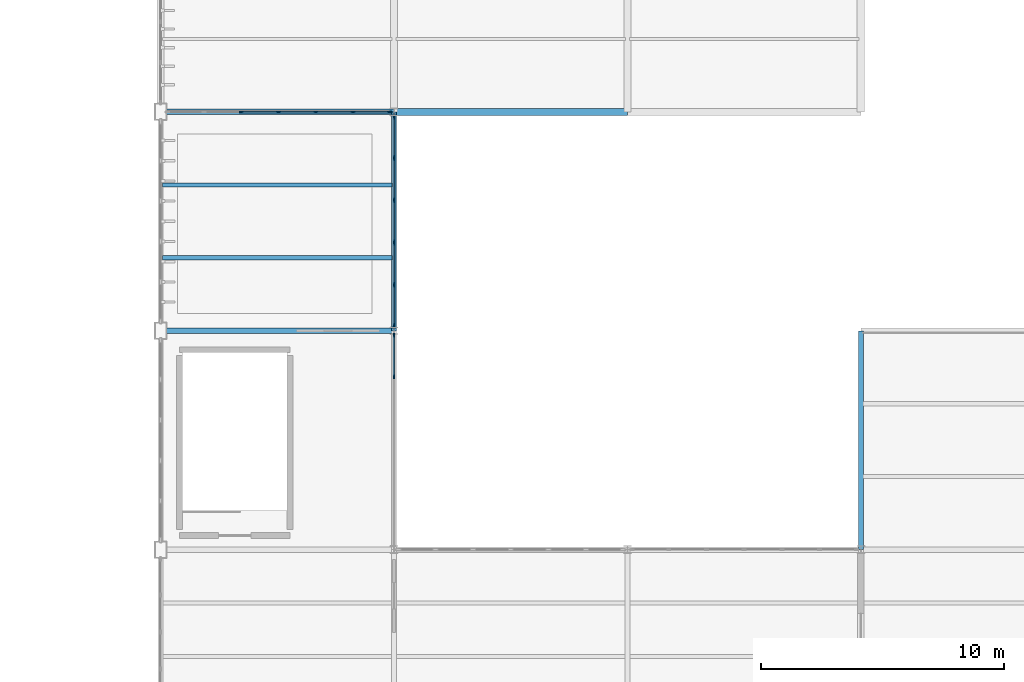
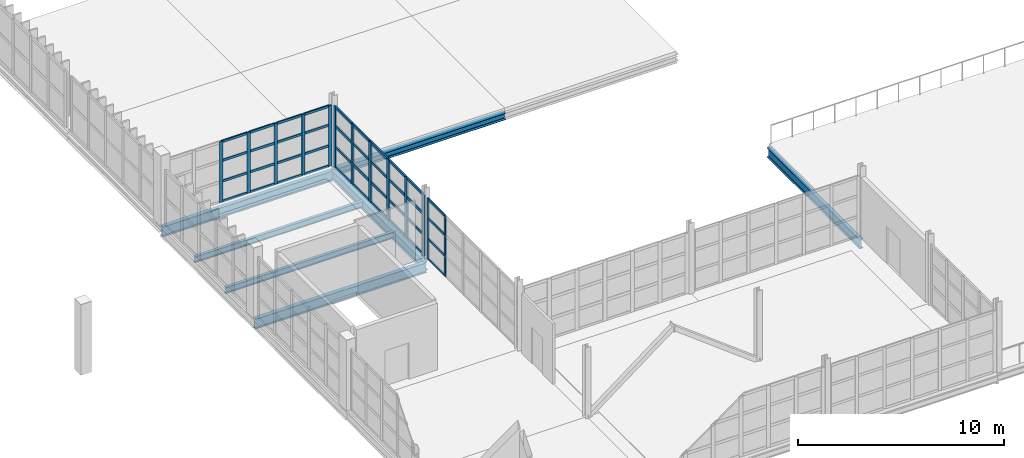
# One storey, part 46 of 82: 53 members, 7 beams, 3 elements without a shape of their own.
"""IFC4 building model written with IfcOpenShell, lengths in metres."""

from ifc_helpers import new_model, si_unit, direction, frame, origin, origin_2d, place, context, subcontext, project, spatial, rectangle, i_section, extrude, material, layer, layer_set, material_profile, profile_set, type_object, element, aggregate, save


model = new_model("IFC4")

# Units and contexts
model_context = context("Model", 3, precision=1e-05, world=origin(), true_north=direction((0.0, 1.0)))
body_context = subcontext(model_context, "Body", "Model", "MODEL_VIEW")
ifc_project = project(units=[si_unit("LENGTHUNIT", "METRE"), si_unit("AREAUNIT", "SQUARE_METRE"), si_unit("VOLUMEUNIT", "CUBIC_METRE"), si_unit("PLANEANGLEUNIT", "RADIAN"), si_unit("MASSUNIT", "GRAM", prefix="KILO")], contexts=[model_context])

# Site, building, storey
site_placement = place(None, origin())
site = spatial("IfcSite", under=ifc_project, at=site_placement, CompositionType="ELEMENT")
building_placement = place(site_placement, origin())
building = spatial("IfcBuilding", under=site, at=building_placement, Name="Zarnetskaya Central Station", CompositionType="ELEMENT")
storey_placement = place(building_placement, frame((0.0, 0.0, 10.199951171875)))
storey = spatial("IfcBuildingStorey", under=building, at=storey_placement, Name="L02", CompositionType="ELEMENT", Elevation=10.199951171875)

# Beams
ifc_material_1 = material(Name="Steel S355", Category="steel")
ifc_material_profile_1 = material_profile(ifc_material_1, i_section(OverallWidth=0.169921875, OverallDepth=0.360107421875, WebThickness=0.008056640625, FlangeThickness=0.0126953125, FilletRadius=0.01806640625, at=origin_2d()), Name="IPE 360")
ifc_profile_set_1 = profile_set([ifc_material_profile_1], Name="Steel S355")
beam_type_1 = type_object("IfcBeamType", Name="BM-SEC-360", PredefinedType="BEAM", material=ifc_profile_set_1)
for number, where, z_axis, x_axis, name in (
    (1, (124.8798828125, 25.199951171875, -0.43994140625), (1.0, 0.0, 0.0), (0.0, 1.0, 0.0), "Secondary floor beam SEC-L02-Z994-PQ-45-1"),
    (2, (124.8798828125, 28.199951171875, -0.43994140625), (1.0, 0.0, 0.0), (0.0, 1.0, 0.0), "Secondary floor beam SEC-L02-Z994-PQ-45-2"),
):
    element("IfcBeam", number, at=place(storey_placement, frame(where, z_axis=z_axis, x_axis=x_axis)), inside=storey, type_object=beam_type_1, Name=name, PredefinedType="BEAM", context=body_context, shape_type="SweptSolid", body=[
        extrude(i_section(OverallWidth=0.169921875, OverallDepth=0.360107421875, WebThickness=0.008056640625, FlangeThickness=0.0126953125, FilletRadius=0.01806640625, at=origin_2d()), origin(), (0.0, 0.0, 1.0), 9.440185546875),
    ])

# Curtain wall, members
ifc_material_2 = material(Name="Low-E insulated glass", Category="glass")
ifc_layer = layer(ifc_material_2, 0.1640625, Name="Low-E insulated glass", Category="glass")
ifc_layer_set = layer_set([ifc_layer], Name="Low-E insulated glass")
curtain_wall_type = type_object("IfcCurtainWallType", Name="CW-SYS-07", PredefinedType="USERDEFINED", material=ifc_layer_set)
curtain_wall_1_placement = place(storey_placement, origin())
curtain_wall_1 = element("IfcCurtainWall", 3, at=curtain_wall_1_placement, inside=storey, type_object=curtain_wall_type, Name="Curtain wall CW-L02-137", ObjectType="CURTAIN WALL", PredefinedType="USERDEFINED")
ifc_material_3 = material(Name="Anodised aluminium", Category="aluminium")
ifc_material_profile_2 = material_profile(ifc_material_3, rectangle(XDim=0.070068359375, YDim=0.179931640625, at=origin_2d()), Name="ALU MULL 70x180")
ifc_profile_set_2 = profile_set([ifc_material_profile_2], Name="Anodised aluminium")
member_type_1 = type_object("IfcMemberType", Name="CW-MULL-180", PredefinedType="MULLION", material=ifc_profile_set_2)
member_1_placement = place(storey_placement, frame((128.11669921875, 31.199951171875, 0.0), z_axis=(0.0, 0.0, 1.0), x_axis=(0.0, 1.0, 0.0)))
member_1 = element("IfcMember", 4, at=member_1_placement, type_object=member_type_1, Name="CW-06 mullion 3", PredefinedType="MULLION", context=body_context, shape_type="SweptSolid", body=[
    extrude(rectangle(XDim=0.070068359375, YDim=0.179931640625, at=origin_2d()), origin(), (0.0, 0.0, 1.0), 3.60009765625),
])
member_2_placement = place(storey_placement, frame((129.64990234375, 31.199951171875, 0.0), z_axis=(0.0, 0.0, 1.0), x_axis=(0.0, 1.0, 0.0)))
member_2 = element("IfcMember", 5, at=member_2_placement, type_object=member_type_1, Name="CW-06 mullion 4", PredefinedType="MULLION", context=body_context, shape_type="SweptSolid", body=[
    extrude(rectangle(XDim=0.070068359375, YDim=0.179931640625, at=origin_2d()), origin(), (0.0, 0.0, 1.0), 3.60009765625),
])
member_3_placement = place(storey_placement, frame((131.183349609375, 31.199951171875, 0.0), z_axis=(0.0, 0.0, 1.0), x_axis=(0.0, 1.0, 0.0)))
member_3 = element("IfcMember", 6, at=member_3_placement, type_object=member_type_1, Name="CW-06 mullion 5", PredefinedType="MULLION", context=body_context, shape_type="SweptSolid", body=[
    extrude(rectangle(XDim=0.070068359375, YDim=0.179931640625, at=origin_2d()), origin(), (0.0, 0.0, 1.0), 3.60009765625),
])
member_4_placement = place(storey_placement, frame((132.716552734375, 31.199951171875, 0.0), z_axis=(0.0, 0.0, 1.0), x_axis=(0.0, 1.0, 0.0)))
member_4 = element("IfcMember", 7, at=member_4_placement, type_object=member_type_1, Name="CW-06 mullion 6", PredefinedType="MULLION", context=body_context, shape_type="SweptSolid", body=[
    extrude(rectangle(XDim=0.070068359375, YDim=0.179931640625, at=origin_2d()), origin(), (0.0, 0.0, 1.0), 3.60009765625),
])
member_5_placement = place(storey_placement, frame((134.215087890625, 31.199951171875, 0.0), z_axis=(0.0, 0.0, 1.0), x_axis=(0.0, 1.0, 0.0)))
member_5 = element("IfcMember", 8, at=member_5_placement, type_object=member_type_1, Name="CW-06 mullion 7", PredefinedType="MULLION", context=body_context, shape_type="SweptSolid", body=[
    extrude(rectangle(XDim=0.070068359375, YDim=0.179931640625, at=origin_2d()), origin(), (0.0, 0.0, 1.0), 3.60009765625),
])

curtain_wall_2_placement = place(storey_placement, origin())
curtain_wall_2 = element("IfcCurtainWall", 9, at=curtain_wall_2_placement, inside=storey, type_object=curtain_wall_type, Name="Curtain wall CW-L02-139", ObjectType="CURTAIN WALL", PredefinedType="USERDEFINED")
member_6_placement = place(storey_placement, frame((134.39990234375, 22.014892578125, 0.0), z_axis=(0.0, 0.0, 1.0), x_axis=(1.0, 0.0, 0.0)))
member_6 = element("IfcMember", 10, at=member_6_placement, type_object=member_type_1, Name="CW-06 mullion 1", PredefinedType="MULLION", context=body_context, shape_type="SweptSolid", body=[
    extrude(rectangle(XDim=0.070068359375, YDim=0.179931640625, at=origin_2d()), origin(), (0.0, 0.0, 1.0), 3.60009765625),
])
member_7_placement = place(storey_placement, frame((134.39990234375, 20.31005859375, 0.0), z_axis=(0.0, 0.0, 1.0), x_axis=(1.0, 0.0, 0.0)))
member_7 = element("IfcMember", 11, at=member_7_placement, type_object=member_type_1, Name="CW-06 mullion 2", PredefinedType="MULLION", context=body_context, shape_type="SweptSolid", body=[
    extrude(rectangle(XDim=0.070068359375, YDim=0.179931640625, at=origin_2d()), origin(), (0.0, 0.0, 1.0), 3.60009765625),
])

curtain_wall_3_placement = place(storey_placement, origin())
curtain_wall_3 = element("IfcCurtainWall", 12, at=curtain_wall_3_placement, inside=storey, type_object=curtain_wall_type, Name="Curtain wall CW-L02-138", ObjectType="CURTAIN WALL", PredefinedType="USERDEFINED")
ifc_material_profile_3 = material_profile(ifc_material_3, rectangle(XDim=0.080078125, YDim=0.219970703125, at=origin_2d()), Name="ALU MULL 80x220")
ifc_profile_set_3 = profile_set([ifc_material_profile_3], Name="Anodised aluminium")
member_type_2 = type_object("IfcMemberType", Name="CW-MULL-220", PredefinedType="MULLION", material=ifc_profile_set_3)
member_8_placement = place(storey_placement, frame((134.39990234375, 31.010009765625, 0.0), z_axis=(0.0, 0.0, 1.0), x_axis=(1.0, 0.0, 0.0)))
member_8 = element("IfcMember", 13, at=member_8_placement, type_object=member_type_2, Name="CW-06 mullion 1", PredefinedType="MULLION", context=body_context, shape_type="SweptSolid", body=[
    extrude(rectangle(XDim=0.080078125, YDim=0.219970703125, at=origin_2d()), origin(), (0.0, 0.0, 1.0), 3.60009765625),
])
member_9_placement = place(storey_placement, frame((134.39990234375, 29.31005859375, 0.0), z_axis=(0.0, 0.0, 1.0), x_axis=(1.0, 0.0, 0.0)))
member_9 = element("IfcMember", 14, at=member_9_placement, type_object=member_type_2, Name="CW-06 mullion 2", PredefinedType="MULLION", context=body_context, shape_type="SweptSolid", body=[
    extrude(rectangle(XDim=0.080078125, YDim=0.219970703125, at=origin_2d()), origin(), (0.0, 0.0, 1.0), 3.60009765625),
])
member_10_placement = place(storey_placement, frame((134.39990234375, 27.570068359375, 0.0), z_axis=(0.0, 0.0, 1.0), x_axis=(1.0, 0.0, 0.0)))
member_10 = element("IfcMember", 15, at=member_10_placement, type_object=member_type_2, Name="CW-06 mullion 3", PredefinedType="MULLION", context=body_context, shape_type="SweptSolid", body=[
    extrude(rectangle(XDim=0.080078125, YDim=0.219970703125, at=origin_2d()), origin(), (0.0, 0.0, 1.0), 3.60009765625),
])
member_11_placement = place(storey_placement, frame((134.39990234375, 25.830078125, 0.0), z_axis=(0.0, 0.0, 1.0), x_axis=(1.0, 0.0, 0.0)))
member_11 = element("IfcMember", 16, at=member_11_placement, type_object=member_type_2, Name="CW-06 mullion 4", PredefinedType="MULLION", context=body_context, shape_type="SweptSolid", body=[
    extrude(rectangle(XDim=0.080078125, YDim=0.219970703125, at=origin_2d()), origin(), (0.0, 0.0, 1.0), 3.60009765625),
])
member_12_placement = place(storey_placement, frame((134.39990234375, 24.090087890625, 0.0), z_axis=(0.0, 0.0, 1.0), x_axis=(1.0, 0.0, 0.0)))
member_12 = element("IfcMember", 17, at=member_12_placement, type_object=member_type_2, Name="CW-06 mullion 5", PredefinedType="MULLION", context=body_context, shape_type="SweptSolid", body=[
    extrude(rectangle(XDim=0.080078125, YDim=0.219970703125, at=origin_2d()), origin(), (0.0, 0.0, 1.0), 3.60009765625),
])
member_13_placement = place(storey_placement, frame((134.39990234375, 22.389892578125, 0.0), z_axis=(0.0, 0.0, 1.0), x_axis=(1.0, 0.0, 0.0)))
member_13 = element("IfcMember", 18, at=member_13_placement, type_object=member_type_2, Name="CW-06 mullion 6", PredefinedType="MULLION", context=body_context, shape_type="SweptSolid", body=[
    extrude(rectangle(XDim=0.080078125, YDim=0.219970703125, at=origin_2d()), origin(), (0.0, 0.0, 1.0), 3.60009765625),
])

# Member
ifc_material_profile_4 = material_profile(ifc_material_3, rectangle(XDim=0.070068359375, YDim=0.139892578125, at=origin_2d()), Name="ALU TRAN 70x140")
ifc_profile_set_4 = profile_set([ifc_material_profile_4], Name="Anodised aluminium")
member_type_3 = type_object("IfcMemberType", Name="CW-TRAN-140", PredefinedType="USERDEFINED", material=ifc_profile_set_4)
member_14_placement = place(storey_placement, frame((128.151611328125, 31.199951171875, 0.03515625), z_axis=(1.0, 0.0, 0.0), x_axis=(0.0, 1.0, 0.0)))
member_14 = element("IfcMember", 19, at=member_14_placement, type_object=member_type_3, Name="CW-06 transom 3.1", ObjectType="TRANSOM", PredefinedType="USERDEFINED", context=body_context, shape_type="SweptSolid", body=[
    extrude(rectangle(XDim=0.070068359375, YDim=0.139892578125, at=origin_2d()), origin(), (0.0, 0.0, 1.0), 1.46337890625),
])

member_15_placement = place(storey_placement, frame((128.151611328125, 31.199951171875, 1.22412109375), z_axis=(1.0, 0.0, 0.0), x_axis=(0.0, 1.0, 0.0)))
member_15 = element("IfcMember", 20, at=member_15_placement, type_object=member_type_3, Name="CW-06 transom 3.2", ObjectType="TRANSOM", PredefinedType="USERDEFINED", context=body_context, shape_type="SweptSolid", body=[
    extrude(rectangle(XDim=0.070068359375, YDim=0.139892578125, at=origin_2d()), origin(), (0.0, 0.0, 1.0), 1.46337890625),
])

member_16_placement = place(storey_placement, frame((128.151611328125, 31.199951171875, 2.447998046875), z_axis=(1.0, 0.0, 0.0), x_axis=(0.0, 1.0, 0.0)))
member_16 = element("IfcMember", 21, at=member_16_placement, type_object=member_type_3, Name="CW-06 transom 3.3", ObjectType="TRANSOM", PredefinedType="USERDEFINED", context=body_context, shape_type="SweptSolid", body=[
    extrude(rectangle(XDim=0.070068359375, YDim=0.139892578125, at=origin_2d()), origin(), (0.0, 0.0, 1.0), 1.46337890625),
])

member_17_placement = place(storey_placement, frame((128.151611328125, 31.199951171875, 3.56494140625), z_axis=(1.0, 0.0, 0.0), x_axis=(0.0, 1.0, 0.0)))
member_17 = element("IfcMember", 22, at=member_17_placement, type_object=member_type_3, Name="CW-06 transom 3.4", ObjectType="TRANSOM", PredefinedType="USERDEFINED", context=body_context, shape_type="SweptSolid", body=[
    extrude(rectangle(XDim=0.070068359375, YDim=0.139892578125, at=origin_2d()), origin(), (0.0, 0.0, 1.0), 1.46337890625),
])

member_18_placement = place(storey_placement, frame((129.68505859375, 31.199951171875, 0.03515625), z_axis=(1.0, 0.0, 0.0), x_axis=(0.0, 1.0, 0.0)))
member_18 = element("IfcMember", 23, at=member_18_placement, type_object=member_type_3, Name="CW-06 transom 4.1", ObjectType="TRANSOM", PredefinedType="USERDEFINED", context=body_context, shape_type="SweptSolid", body=[
    extrude(rectangle(XDim=0.070068359375, YDim=0.139892578125, at=origin_2d()), origin(), (0.0, 0.0, 1.0), 1.46337890625),
])

member_19_placement = place(storey_placement, frame((129.68505859375, 31.199951171875, 1.22412109375), z_axis=(1.0, 0.0, 0.0), x_axis=(0.0, 1.0, 0.0)))
member_19 = element("IfcMember", 24, at=member_19_placement, type_object=member_type_3, Name="CW-06 transom 4.2", ObjectType="TRANSOM", PredefinedType="USERDEFINED", context=body_context, shape_type="SweptSolid", body=[
    extrude(rectangle(XDim=0.070068359375, YDim=0.139892578125, at=origin_2d()), origin(), (0.0, 0.0, 1.0), 1.46337890625),
])

member_20_placement = place(storey_placement, frame((129.68505859375, 31.199951171875, 2.447998046875), z_axis=(1.0, 0.0, 0.0), x_axis=(0.0, 1.0, 0.0)))
member_20 = element("IfcMember", 25, at=member_20_placement, type_object=member_type_3, Name="CW-06 transom 4.3", ObjectType="TRANSOM", PredefinedType="USERDEFINED", context=body_context, shape_type="SweptSolid", body=[
    extrude(rectangle(XDim=0.070068359375, YDim=0.139892578125, at=origin_2d()), origin(), (0.0, 0.0, 1.0), 1.46337890625),
])

member_21_placement = place(storey_placement, frame((129.68505859375, 31.199951171875, 3.56494140625), z_axis=(1.0, 0.0, 0.0), x_axis=(0.0, 1.0, 0.0)))
member_21 = element("IfcMember", 26, at=member_21_placement, type_object=member_type_3, Name="CW-06 transom 4.4", ObjectType="TRANSOM", PredefinedType="USERDEFINED", context=body_context, shape_type="SweptSolid", body=[
    extrude(rectangle(XDim=0.070068359375, YDim=0.139892578125, at=origin_2d()), origin(), (0.0, 0.0, 1.0), 1.46337890625),
])

member_22_placement = place(storey_placement, frame((131.21826171875, 31.199951171875, 0.03515625), z_axis=(1.0, 0.0, 0.0), x_axis=(0.0, 1.0, 0.0)))
member_22 = element("IfcMember", 27, at=member_22_placement, type_object=member_type_3, Name="CW-06 transom 5.1", ObjectType="TRANSOM", PredefinedType="USERDEFINED", context=body_context, shape_type="SweptSolid", body=[
    extrude(rectangle(XDim=0.070068359375, YDim=0.139892578125, at=origin_2d()), origin(), (0.0, 0.0, 1.0), 1.46337890625),
])

member_23_placement = place(storey_placement, frame((131.21826171875, 31.199951171875, 1.22412109375), z_axis=(1.0, 0.0, 0.0), x_axis=(0.0, 1.0, 0.0)))
member_23 = element("IfcMember", 28, at=member_23_placement, type_object=member_type_3, Name="CW-06 transom 5.2", ObjectType="TRANSOM", PredefinedType="USERDEFINED", context=body_context, shape_type="SweptSolid", body=[
    extrude(rectangle(XDim=0.070068359375, YDim=0.139892578125, at=origin_2d()), origin(), (0.0, 0.0, 1.0), 1.46337890625),
])

member_24_placement = place(storey_placement, frame((131.21826171875, 31.199951171875, 2.447998046875), z_axis=(1.0, 0.0, 0.0), x_axis=(0.0, 1.0, 0.0)))
member_24 = element("IfcMember", 29, at=member_24_placement, type_object=member_type_3, Name="CW-06 transom 5.3", ObjectType="TRANSOM", PredefinedType="USERDEFINED", context=body_context, shape_type="SweptSolid", body=[
    extrude(rectangle(XDim=0.070068359375, YDim=0.139892578125, at=origin_2d()), origin(), (0.0, 0.0, 1.0), 1.46337890625),
])

member_25_placement = place(storey_placement, frame((131.21826171875, 31.199951171875, 3.56494140625), z_axis=(1.0, 0.0, 0.0), x_axis=(0.0, 1.0, 0.0)))
member_25 = element("IfcMember", 30, at=member_25_placement, type_object=member_type_3, Name="CW-06 transom 5.4", ObjectType="TRANSOM", PredefinedType="USERDEFINED", context=body_context, shape_type="SweptSolid", body=[
    extrude(rectangle(XDim=0.070068359375, YDim=0.139892578125, at=origin_2d()), origin(), (0.0, 0.0, 1.0), 1.46337890625),
])

member_26_placement = place(storey_placement, frame((132.751708984375, 31.199951171875, 0.03515625), z_axis=(1.0, 0.0, 0.0), x_axis=(0.0, 1.0, 0.0)))
member_26 = element("IfcMember", 31, at=member_26_placement, type_object=member_type_3, Name="CW-06 transom 6.1", ObjectType="TRANSOM", PredefinedType="USERDEFINED", context=body_context, shape_type="SweptSolid", body=[
    extrude(rectangle(XDim=0.070068359375, YDim=0.139892578125, at=origin_2d()), origin(), (0.0, 0.0, 1.0), 1.42822265625),
])

member_27_placement = place(storey_placement, frame((132.751708984375, 31.199951171875, 1.22412109375), z_axis=(1.0, 0.0, 0.0), x_axis=(0.0, 1.0, 0.0)))
member_27 = element("IfcMember", 32, at=member_27_placement, type_object=member_type_3, Name="CW-06 transom 6.2", ObjectType="TRANSOM", PredefinedType="USERDEFINED", context=body_context, shape_type="SweptSolid", body=[
    extrude(rectangle(XDim=0.070068359375, YDim=0.139892578125, at=origin_2d()), origin(), (0.0, 0.0, 1.0), 1.42822265625),
])

member_28_placement = place(storey_placement, frame((132.751708984375, 31.199951171875, 2.447998046875), z_axis=(1.0, 0.0, 0.0), x_axis=(0.0, 1.0, 0.0)))
member_28 = element("IfcMember", 33, at=member_28_placement, type_object=member_type_3, Name="CW-06 transom 6.3", ObjectType="TRANSOM", PredefinedType="USERDEFINED", context=body_context, shape_type="SweptSolid", body=[
    extrude(rectangle(XDim=0.070068359375, YDim=0.139892578125, at=origin_2d()), origin(), (0.0, 0.0, 1.0), 1.42822265625),
])

member_29_placement = place(storey_placement, frame((132.751708984375, 31.199951171875, 3.56494140625), z_axis=(1.0, 0.0, 0.0), x_axis=(0.0, 1.0, 0.0)))
member_29 = element("IfcMember", 34, at=member_29_placement, type_object=member_type_3, Name="CW-06 transom 6.4", ObjectType="TRANSOM", PredefinedType="USERDEFINED", context=body_context, shape_type="SweptSolid", body=[
    extrude(rectangle(XDim=0.070068359375, YDim=0.139892578125, at=origin_2d()), origin(), (0.0, 0.0, 1.0), 1.42822265625),
])

aggregate(curtain_wall_1, [member_1, member_2, member_3, member_4, member_5, member_14, member_15, member_16, member_17, member_18, member_19, member_20, member_21, member_22, member_23, member_24, member_25, member_26, member_27, member_28, member_29])

member_30_placement = place(storey_placement, frame((134.39990234375, 21.97998046875, 0.03515625), z_axis=(0.0, -1.0, 0.0), x_axis=(1.0, 0.0, 0.0)))
member_30 = element("IfcMember", 35, at=member_30_placement, type_object=member_type_3, Name="CW-06 transom 1.1", ObjectType="TRANSOM", PredefinedType="USERDEFINED", context=body_context, shape_type="SweptSolid", body=[
    extrude(rectangle(XDim=0.070068359375, YDim=0.139892578125, at=origin_2d()), origin(), (0.0, 0.0, 1.0), 1.635009765625),
])

member_31_placement = place(storey_placement, frame((134.39990234375, 21.97998046875, 1.22412109375), z_axis=(0.0, -1.0, 0.0), x_axis=(1.0, 0.0, 0.0)))
member_31 = element("IfcMember", 36, at=member_31_placement, type_object=member_type_3, Name="CW-06 transom 1.2", ObjectType="TRANSOM", PredefinedType="USERDEFINED", context=body_context, shape_type="SweptSolid", body=[
    extrude(rectangle(XDim=0.070068359375, YDim=0.139892578125, at=origin_2d()), origin(), (0.0, 0.0, 1.0), 1.635009765625),
])

member_32_placement = place(storey_placement, frame((134.39990234375, 21.97998046875, 2.447998046875), z_axis=(0.0, -1.0, 0.0), x_axis=(1.0, 0.0, 0.0)))
member_32 = element("IfcMember", 37, at=member_32_placement, type_object=member_type_3, Name="CW-06 transom 1.3", ObjectType="TRANSOM", PredefinedType="USERDEFINED", context=body_context, shape_type="SweptSolid", body=[
    extrude(rectangle(XDim=0.070068359375, YDim=0.139892578125, at=origin_2d()), origin(), (0.0, 0.0, 1.0), 1.635009765625),
])

member_33_placement = place(storey_placement, frame((134.39990234375, 21.97998046875, 3.56494140625), z_axis=(0.0, -1.0, 0.0), x_axis=(1.0, 0.0, 0.0)))
member_33 = element("IfcMember", 38, at=member_33_placement, type_object=member_type_3, Name="CW-06 transom 1.4", ObjectType="TRANSOM", PredefinedType="USERDEFINED", context=body_context, shape_type="SweptSolid", body=[
    extrude(rectangle(XDim=0.070068359375, YDim=0.139892578125, at=origin_2d()), origin(), (0.0, 0.0, 1.0), 1.635009765625),
])

aggregate(curtain_wall_2, [member_6, member_7, member_30, member_31, member_32, member_33])

ifc_material_profile_5 = material_profile(ifc_material_3, rectangle(XDim=0.080078125, YDim=0.159912109375, at=origin_2d()), Name="ALU TRAN 80x160")
ifc_profile_set_5 = profile_set([ifc_material_profile_5], Name="Anodised aluminium")
member_type_4 = type_object("IfcMemberType", Name="CW-TRAN-160", PredefinedType="USERDEFINED", material=ifc_profile_set_5)
member_34_placement = place(storey_placement, frame((134.39990234375, 30.969970703125, 0.0400390625), z_axis=(0.0, -1.0, 0.0), x_axis=(1.0, 0.0, 0.0)))
member_34 = element("IfcMember", 39, at=member_34_placement, type_object=member_type_4, Name="CW-06 transom 1.1", ObjectType="TRANSOM", PredefinedType="USERDEFINED", context=body_context, shape_type="SweptSolid", body=[
    extrude(rectangle(XDim=0.080078125, YDim=0.159912109375, at=origin_2d()), origin(), (0.0, 0.0, 1.0), 1.619873046875),
])

member_35_placement = place(storey_placement, frame((134.39990234375, 30.969970703125, 1.22412109375), z_axis=(0.0, -1.0, 0.0), x_axis=(1.0, 0.0, 0.0)))
member_35 = element("IfcMember", 40, at=member_35_placement, type_object=member_type_4, Name="CW-06 transom 1.2", ObjectType="TRANSOM", PredefinedType="USERDEFINED", context=body_context, shape_type="SweptSolid", body=[
    extrude(rectangle(XDim=0.080078125, YDim=0.159912109375, at=origin_2d()), origin(), (0.0, 0.0, 1.0), 1.619873046875),
])

member_36_placement = place(storey_placement, frame((134.39990234375, 30.969970703125, 2.447998046875), z_axis=(0.0, -1.0, 0.0), x_axis=(1.0, 0.0, 0.0)))
member_36 = element("IfcMember", 41, at=member_36_placement, type_object=member_type_4, Name="CW-06 transom 1.3", ObjectType="TRANSOM", PredefinedType="USERDEFINED", context=body_context, shape_type="SweptSolid", body=[
    extrude(rectangle(XDim=0.080078125, YDim=0.159912109375, at=origin_2d()), origin(), (0.0, 0.0, 1.0), 1.619873046875),
])

member_37_placement = place(storey_placement, frame((134.39990234375, 30.969970703125, 3.56005859375), z_axis=(0.0, -1.0, 0.0), x_axis=(1.0, 0.0, 0.0)))
member_37 = element("IfcMember", 42, at=member_37_placement, type_object=member_type_4, Name="CW-06 transom 1.4", ObjectType="TRANSOM", PredefinedType="USERDEFINED", context=body_context, shape_type="SweptSolid", body=[
    extrude(rectangle(XDim=0.080078125, YDim=0.159912109375, at=origin_2d()), origin(), (0.0, 0.0, 1.0), 1.619873046875),
])

member_38_placement = place(storey_placement, frame((134.39990234375, 29.27001953125, 0.0400390625), z_axis=(0.0, -1.0, 0.0), x_axis=(1.0, 0.0, 0.0)))
member_38 = element("IfcMember", 43, at=member_38_placement, type_object=member_type_4, Name="CW-06 transom 2.1", ObjectType="TRANSOM", PredefinedType="USERDEFINED", context=body_context, shape_type="SweptSolid", body=[
    extrude(rectangle(XDim=0.080078125, YDim=0.159912109375, at=origin_2d()), origin(), (0.0, 0.0, 1.0), 1.659912109375),
])

member_39_placement = place(storey_placement, frame((134.39990234375, 29.27001953125, 1.22412109375), z_axis=(0.0, -1.0, 0.0), x_axis=(1.0, 0.0, 0.0)))
member_39 = element("IfcMember", 44, at=member_39_placement, type_object=member_type_4, Name="CW-06 transom 2.2", ObjectType="TRANSOM", PredefinedType="USERDEFINED", context=body_context, shape_type="SweptSolid", body=[
    extrude(rectangle(XDim=0.080078125, YDim=0.159912109375, at=origin_2d()), origin(), (0.0, 0.0, 1.0), 1.659912109375),
])

member_40_placement = place(storey_placement, frame((134.39990234375, 29.27001953125, 2.447998046875), z_axis=(0.0, -1.0, 0.0), x_axis=(1.0, 0.0, 0.0)))
member_40 = element("IfcMember", 45, at=member_40_placement, type_object=member_type_4, Name="CW-06 transom 2.3", ObjectType="TRANSOM", PredefinedType="USERDEFINED", context=body_context, shape_type="SweptSolid", body=[
    extrude(rectangle(XDim=0.080078125, YDim=0.159912109375, at=origin_2d()), origin(), (0.0, 0.0, 1.0), 1.659912109375),
])

member_41_placement = place(storey_placement, frame((134.39990234375, 29.27001953125, 3.56005859375), z_axis=(0.0, -1.0, 0.0), x_axis=(1.0, 0.0, 0.0)))
member_41 = element("IfcMember", 46, at=member_41_placement, type_object=member_type_4, Name="CW-06 transom 2.4", ObjectType="TRANSOM", PredefinedType="USERDEFINED", context=body_context, shape_type="SweptSolid", body=[
    extrude(rectangle(XDim=0.080078125, YDim=0.159912109375, at=origin_2d()), origin(), (0.0, 0.0, 1.0), 1.659912109375),
])

member_42_placement = place(storey_placement, frame((134.39990234375, 27.530029296875, 0.0400390625), z_axis=(0.0, -1.0, 0.0), x_axis=(1.0, 0.0, 0.0)))
member_42 = element("IfcMember", 47, at=member_42_placement, type_object=member_type_4, Name="CW-06 transom 3.1", ObjectType="TRANSOM", PredefinedType="USERDEFINED", context=body_context, shape_type="SweptSolid", body=[
    extrude(rectangle(XDim=0.080078125, YDim=0.159912109375, at=origin_2d()), origin(), (0.0, 0.0, 1.0), 1.659912109375),
])

member_43_placement = place(storey_placement, frame((134.39990234375, 27.530029296875, 1.22412109375), z_axis=(0.0, -1.0, 0.0), x_axis=(1.0, 0.0, 0.0)))
member_43 = element("IfcMember", 48, at=member_43_placement, type_object=member_type_4, Name="CW-06 transom 3.2", ObjectType="TRANSOM", PredefinedType="USERDEFINED", context=body_context, shape_type="SweptSolid", body=[
    extrude(rectangle(XDim=0.080078125, YDim=0.159912109375, at=origin_2d()), origin(), (0.0, 0.0, 1.0), 1.659912109375),
])

member_44_placement = place(storey_placement, frame((134.39990234375, 27.530029296875, 2.447998046875), z_axis=(0.0, -1.0, 0.0), x_axis=(1.0, 0.0, 0.0)))
member_44 = element("IfcMember", 49, at=member_44_placement, type_object=member_type_4, Name="CW-06 transom 3.3", ObjectType="TRANSOM", PredefinedType="USERDEFINED", context=body_context, shape_type="SweptSolid", body=[
    extrude(rectangle(XDim=0.080078125, YDim=0.159912109375, at=origin_2d()), origin(), (0.0, 0.0, 1.0), 1.659912109375),
])

member_45_placement = place(storey_placement, frame((134.39990234375, 27.530029296875, 3.56005859375), z_axis=(0.0, -1.0, 0.0), x_axis=(1.0, 0.0, 0.0)))
member_45 = element("IfcMember", 50, at=member_45_placement, type_object=member_type_4, Name="CW-06 transom 3.4", ObjectType="TRANSOM", PredefinedType="USERDEFINED", context=body_context, shape_type="SweptSolid", body=[
    extrude(rectangle(XDim=0.080078125, YDim=0.159912109375, at=origin_2d()), origin(), (0.0, 0.0, 1.0), 1.659912109375),
])

member_46_placement = place(storey_placement, frame((134.39990234375, 25.7900390625, 0.0400390625), z_axis=(0.0, -1.0, 0.0), x_axis=(1.0, 0.0, 0.0)))
member_46 = element("IfcMember", 51, at=member_46_placement, type_object=member_type_4, Name="CW-06 transom 4.1", ObjectType="TRANSOM", PredefinedType="USERDEFINED", context=body_context, shape_type="SweptSolid", body=[
    extrude(rectangle(XDim=0.080078125, YDim=0.159912109375, at=origin_2d()), origin(), (0.0, 0.0, 1.0), 1.66015625),
])

member_47_placement = place(storey_placement, frame((134.39990234375, 25.7900390625, 1.22412109375), z_axis=(0.0, -1.0, 0.0), x_axis=(1.0, 0.0, 0.0)))
member_47 = element("IfcMember", 52, at=member_47_placement, type_object=member_type_4, Name="CW-06 transom 4.2", ObjectType="TRANSOM", PredefinedType="USERDEFINED", context=body_context, shape_type="SweptSolid", body=[
    extrude(rectangle(XDim=0.080078125, YDim=0.159912109375, at=origin_2d()), origin(), (0.0, 0.0, 1.0), 1.66015625),
])

member_48_placement = place(storey_placement, frame((134.39990234375, 25.7900390625, 2.447998046875), z_axis=(0.0, -1.0, 0.0), x_axis=(1.0, 0.0, 0.0)))
member_48 = element("IfcMember", 53, at=member_48_placement, type_object=member_type_4, Name="CW-06 transom 4.3", ObjectType="TRANSOM", PredefinedType="USERDEFINED", context=body_context, shape_type="SweptSolid", body=[
    extrude(rectangle(XDim=0.080078125, YDim=0.159912109375, at=origin_2d()), origin(), (0.0, 0.0, 1.0), 1.66015625),
])

member_49_placement = place(storey_placement, frame((134.39990234375, 25.7900390625, 3.56005859375), z_axis=(0.0, -1.0, 0.0), x_axis=(1.0, 0.0, 0.0)))
member_49 = element("IfcMember", 54, at=member_49_placement, type_object=member_type_4, Name="CW-06 transom 4.4", ObjectType="TRANSOM", PredefinedType="USERDEFINED", context=body_context, shape_type="SweptSolid", body=[
    extrude(rectangle(XDim=0.080078125, YDim=0.159912109375, at=origin_2d()), origin(), (0.0, 0.0, 1.0), 1.66015625),
])

member_50_placement = place(storey_placement, frame((134.39990234375, 24.050048828125, 0.0400390625), z_axis=(0.0, -1.0, 0.0), x_axis=(1.0, 0.0, 0.0)))
member_50 = element("IfcMember", 55, at=member_50_placement, type_object=member_type_4, Name="CW-06 transom 5.1", ObjectType="TRANSOM", PredefinedType="USERDEFINED", context=body_context, shape_type="SweptSolid", body=[
    extrude(rectangle(XDim=0.080078125, YDim=0.159912109375, at=origin_2d()), origin(), (0.0, 0.0, 1.0), 1.6201171875),
])

member_51_placement = place(storey_placement, frame((134.39990234375, 24.050048828125, 1.22412109375), z_axis=(0.0, -1.0, 0.0), x_axis=(1.0, 0.0, 0.0)))
member_51 = element("IfcMember", 56, at=member_51_placement, type_object=member_type_4, Name="CW-06 transom 5.2", ObjectType="TRANSOM", PredefinedType="USERDEFINED", context=body_context, shape_type="SweptSolid", body=[
    extrude(rectangle(XDim=0.080078125, YDim=0.159912109375, at=origin_2d()), origin(), (0.0, 0.0, 1.0), 1.6201171875),
])

member_52_placement = place(storey_placement, frame((134.39990234375, 24.050048828125, 2.447998046875), z_axis=(0.0, -1.0, 0.0), x_axis=(1.0, 0.0, 0.0)))
member_52 = element("IfcMember", 57, at=member_52_placement, type_object=member_type_4, Name="CW-06 transom 5.3", ObjectType="TRANSOM", PredefinedType="USERDEFINED", context=body_context, shape_type="SweptSolid", body=[
    extrude(rectangle(XDim=0.080078125, YDim=0.159912109375, at=origin_2d()), origin(), (0.0, 0.0, 1.0), 1.6201171875),
])

member_53_placement = place(storey_placement, frame((134.39990234375, 24.050048828125, 3.56005859375), z_axis=(0.0, -1.0, 0.0), x_axis=(1.0, 0.0, 0.0)))
member_53 = element("IfcMember", 58, at=member_53_placement, type_object=member_type_4, Name="CW-06 transom 5.4", ObjectType="TRANSOM", PredefinedType="USERDEFINED", context=body_context, shape_type="SweptSolid", body=[
    extrude(rectangle(XDim=0.080078125, YDim=0.159912109375, at=origin_2d()), origin(), (0.0, 0.0, 1.0), 1.6201171875),
])

aggregate(curtain_wall_3, [member_8, member_9, member_10, member_11, member_12, member_13, member_34, member_35, member_36, member_37, member_38, member_39, member_40, member_41, member_42, member_43, member_44, member_45, member_46, member_47, member_48, member_49, member_50, member_51, member_52, member_53])

# Beams
ifc_material_profile_6 = material_profile(ifc_material_1, i_section(OverallWidth=0.2099609375, OverallDepth=0.550048828125, WebThickness=0.010986328125, FlangeThickness=0.01708984375, FilletRadius=0.02392578125, at=origin_2d()), Name="IPE 550")
ifc_profile_set_6 = profile_set([ifc_material_profile_6], Name="Steel S355")
beam_type_2 = type_object("IfcBeamType", Name="GD-FLR-550", PredefinedType="USERDEFINED", material=ifc_profile_set_6)
for number, where, z_axis, x_axis, name in (
    (59, (134.39990234375, 22.199951171875, -0.534912109375), (0.0, 1.0, 0.0), (-1.0, 0.0, 0.0), "Grid girder GY-L02-Q-45"),
    (60, (153.60009765625, 13.199951171875, -0.494873046875), (0.0, 1.0, 0.0), (-1.0, 0.0, 0.0), "Grid girder GY-L02-S-34"),
):
    element("IfcBeam", number, at=place(storey_placement, frame(where, z_axis=z_axis, x_axis=x_axis)), inside=storey, type_object=beam_type_2, Name=name, ObjectType="GIRDER", PredefinedType="USERDEFINED", context=body_context, shape_type="SweptSolid", body=[
        extrude(i_section(OverallWidth=0.2099609375, OverallDepth=0.550048828125, WebThickness=0.010986328125, FlangeThickness=0.01708984375, FilletRadius=0.02392578125, at=origin_2d()), origin(), (0.0, 0.0, 1.0), 9.0),
    ])
ifc_material_profile_7 = material_profile(ifc_material_1, i_section(OverallWidth=0.219970703125, OverallDepth=0.60009765625, WebThickness=0.011962890625, FlangeThickness=0.01904296875, FilletRadius=0.02392578125, at=origin_2d()), Name="IPE 600")
ifc_profile_set_7 = profile_set([ifc_material_profile_7], Name="Steel S355")
beam_type_3 = type_object("IfcBeamType", Name="GD-FLR-600", PredefinedType="USERDEFINED", material=ifc_profile_set_7)
for number, where, z_axis, x_axis, name in (
    (61, (124.800048828125, 22.199951171875, -0.56005859375), (1.0, 0.0, 0.0), (0.0, 1.0, 0.0), "Grid girder GX-L02-4-PQ"),
    (62, (124.800048828125, 31.199951171875, -0.56005859375), (1.0, 0.0, 0.0), (0.0, 1.0, 0.0), "Grid girder GX-L02-5-PQ"),
):
    element("IfcBeam", number, at=place(storey_placement, frame(where, z_axis=z_axis, x_axis=x_axis)), inside=storey, type_object=beam_type_3, Name=name, ObjectType="GIRDER", PredefinedType="USERDEFINED", context=body_context, shape_type="SweptSolid", body=[
        extrude(i_section(OverallWidth=0.219970703125, OverallDepth=0.60009765625, WebThickness=0.011962890625, FlangeThickness=0.01904296875, FilletRadius=0.02392578125, at=origin_2d()), origin(), (0.0, 0.0, 1.0), 9.599853515625),
    ])
ifc_material_profile_8 = material_profile(ifc_material_1, i_section(OverallWidth=0.300048828125, OverallDepth=0.389892578125, WebThickness=0.010986328125, FlangeThickness=0.01904296875, FilletRadius=0.027099609375, at=origin_2d()), Name="HEA 400")
ifc_profile_set_8 = profile_set([ifc_material_profile_8], Name="Steel S355")
beam_type_4 = type_object("IfcBeamType", Name="GD-ROOF-400", PredefinedType="USERDEFINED", material=ifc_profile_set_8)
beam_placement = place(storey_placement, frame((134.39990234375, 31.199951171875, -0.405029296875), z_axis=(1.0, 0.0, 0.0), x_axis=(0.0, 1.0, 0.0)))
element("IfcBeam", 63, at=beam_placement, inside=storey, type_object=beam_type_4, Name="Grid girder GX-L02-5-QR", ObjectType="GIRDER", PredefinedType="USERDEFINED", context=body_context, shape_type="SweptSolid", body=[
    extrude(i_section(OverallWidth=0.300048828125, OverallDepth=0.389892578125, WebThickness=0.010986328125, FlangeThickness=0.01904296875, FilletRadius=0.027099609375, at=origin_2d()), origin(), (0.0, 0.0, 1.0), 9.60009765625),
])

save(model, "model.ifc")
